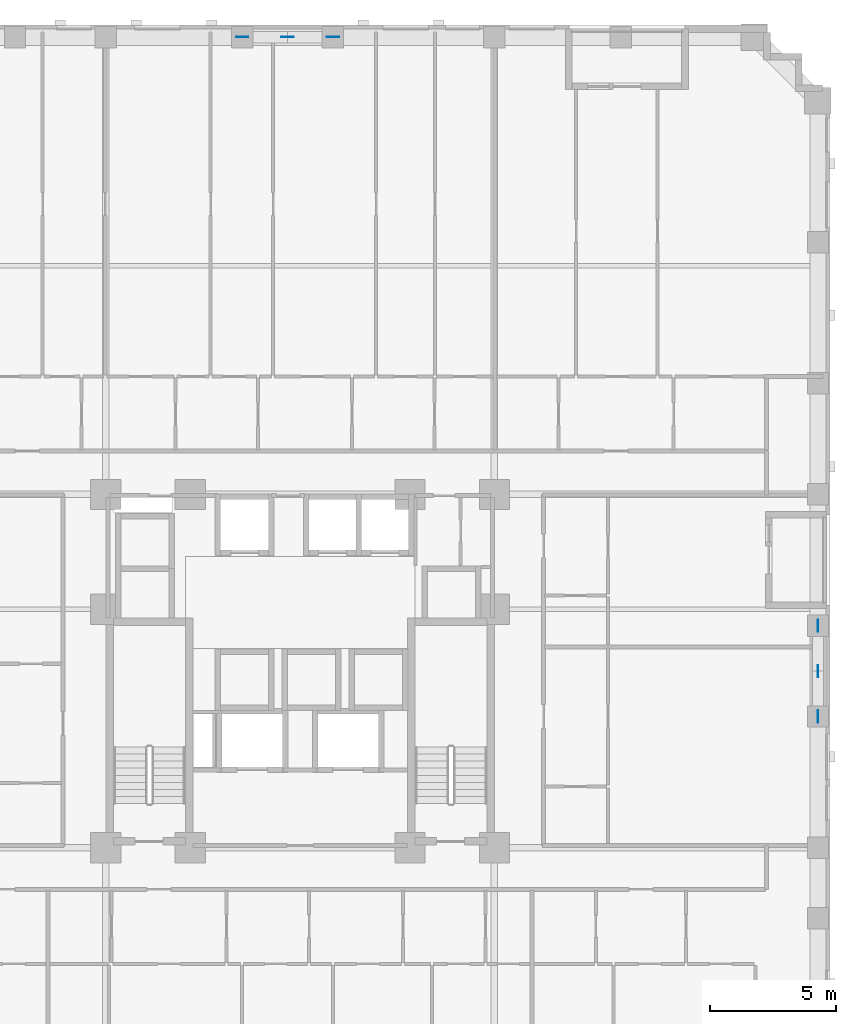
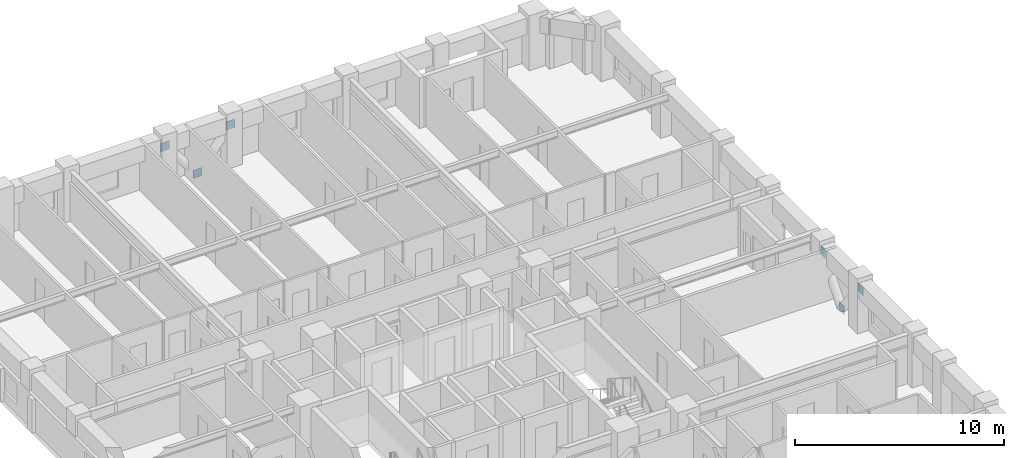
# One storey, part 11 of 14: 6 discrete accessories.
"""IFC4 building model written with IfcOpenShell, lengths in metres."""

from ifc_helpers import new_model, si_unit, derived_unit, direction, frame, origin, origin_2d, place, context, subcontext, project, spatial, rectangle, extrude, material, layer, layer_set, type_object, element, save


model = new_model("IFC4")

# Units and contexts
model_context = context("Model", 3, precision=1e-05, world=origin(), true_north=direction((0.0, 1.0)))
body_context = subcontext(model_context, "Body", "Model", "MODEL_VIEW")
ifc_project = project(units=[si_unit("LENGTHUNIT", "METRE"), si_unit("AREAUNIT", "SQUARE_METRE"), si_unit("VOLUMEUNIT", "CUBIC_METRE"), si_unit("PLANEANGLEUNIT", "RADIAN"), si_unit("MASSUNIT", "GRAM", prefix="KILO"), derived_unit("THERMALTRANSMITTANCEUNIT", [(si_unit("MASSUNIT", "GRAM", prefix="KILO"), 1), (si_unit("TIMEUNIT", "SECOND"), -3), (si_unit("THERMODYNAMICTEMPERATUREUNIT", "KELVIN"), -1)])], contexts=[model_context])

# Site, building, storey
site_placement = place(None, origin())
site = spatial("IfcSite", under=ifc_project, at=site_placement, CompositionType="ELEMENT")
building_placement = place(site_placement, origin())
building = spatial("IfcBuilding", under=site, at=building_placement, Name="Korrvale Station Residences", CompositionType="ELEMENT")
storey_placement = place(building_placement, frame((0.0, 0.0, 51.39990234375)))
storey = spatial("IfcBuildingStorey", under=building, at=storey_placement, Name="L13", CompositionType="ELEMENT", Elevation=51.39990234375)

# Discrete accessories
ifc_material = material(Name="Steel S355", Category="steel")
ifc_layer = layer(ifc_material, 0.02490234375, Name="Steel S355")
ifc_layer_set = layer_set([ifc_layer], Name="Steel S355")
discrete_accessory_type = type_object("IfcDiscreteAccessoryType", Name="ACC-GUSSET-25", PredefinedType="BRACKET", material=ifc_layer_set)
for number, where, z_axis, x_axis, name in (
    (1, (25.0, 47.1201171875, -0.219970703125), (0.0, 0.0, 1.0), (1.0, 0.0, 0.0), "L13 N Brace End Gusset Connection M"),
    (2, (23.199951171875, 47.1201171875, 1.97021484375), (0.0, 0.0, 1.0), (1.0, 0.0, 0.0), "L13 N Brace End Gusset Connection A"),
    (3, (26.800048828125, 47.1201171875, 1.97021484375), (0.0, 0.0, 1.0), (1.0, 0.0, 0.0), "L13 N Brace End Gusset Connection B"),
    (4, (46.02001953125, 22.0, -0.219970703125), (0.0, 0.0, 1.0), (0.0, 1.0, 0.0), "L13 E Brace End Gusset Connection M"),
    (5, (46.02001953125, 20.199951171875, 1.97021484375), (0.0, 0.0, 1.0), (0.0, 1.0, 0.0), "L13 E Brace End Gusset Connection A"),
    (6, (46.02001953125, 23.800048828125, 1.97021484375), (0.0, 0.0, 1.0), (0.0, 1.0, 0.0), "L13 E Brace End Gusset Connection B"),
):
    element("IfcDiscreteAccessory", number, at=place(storey_placement, frame(where, z_axis=z_axis, x_axis=x_axis)), inside=storey, type_object=discrete_accessory_type, Name=name, PredefinedType="BRACKET", context=body_context, shape_type="SweptSolid", body=[
        extrude(rectangle(XDim=0.47998046875, YDim=0.02490234375, at=origin_2d()), origin(), (0.0, 0.0, 1.0), 0.47998046875),
    ])

save(model, "model.ifc")
